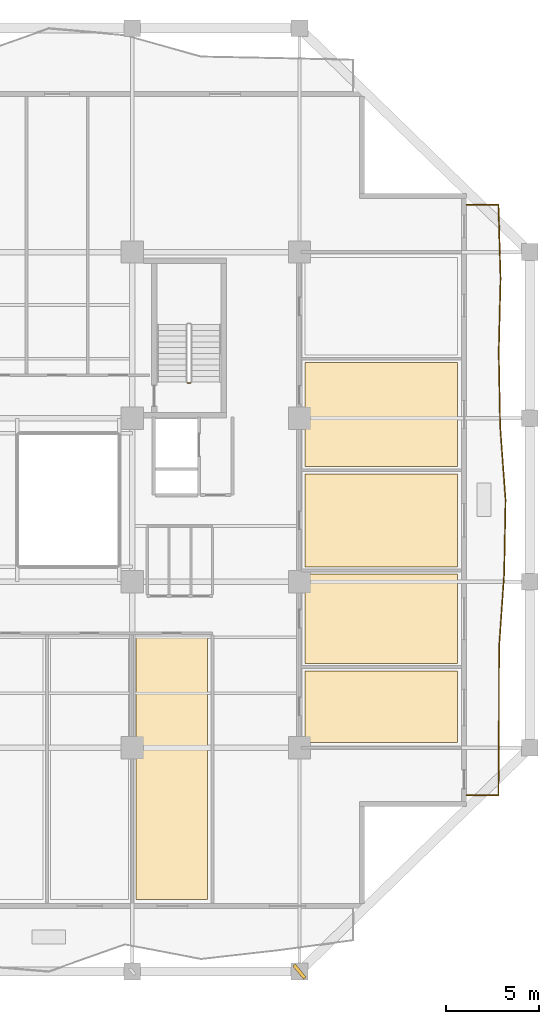
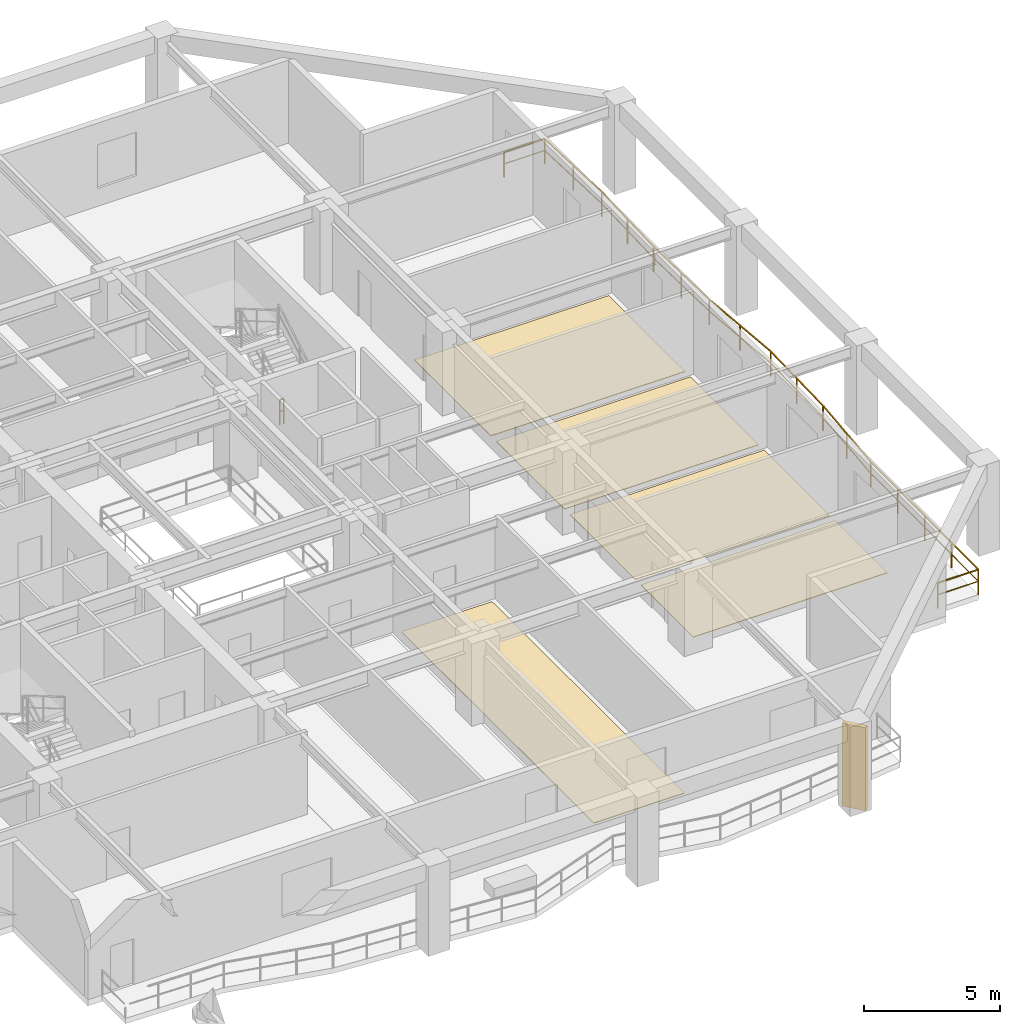
# One storey, part 10 of 13: 5 coverings, 2 railings, 1 shading device.
"""IFC4 building model written with IfcOpenShell, lengths in metres."""

from ifc_helpers import new_model, si_unit, direction, frame, origin, origin_2d, place, context, subcontext, project, spatial, polyline, rectangle, outline, extrude, material, layer, layer_set, type_object, element, save


model = new_model("IFC4")

# Units and contexts
model_context = context("Model", 3, precision=1e-05, world=origin(), true_north=direction((0.0, 1.0)))
body_context = subcontext(model_context, "Body", "Model", "MODEL_VIEW")
ifc_project = project(units=[si_unit("LENGTHUNIT", "METRE"), si_unit("AREAUNIT", "SQUARE_METRE"), si_unit("VOLUMEUNIT", "CUBIC_METRE"), si_unit("PLANEANGLEUNIT", "RADIAN"), si_unit("MASSUNIT", "GRAM", prefix="KILO")], contexts=[model_context])

# Site, building, storey
site_placement = place(None, origin())
site = spatial("IfcSite", under=ifc_project, at=site_placement, CompositionType="ELEMENT")
building_placement = place(site_placement, origin())
building = spatial("IfcBuilding", under=site, at=building_placement, Name="Kundavana Baori Tower", CompositionType="ELEMENT")
storey_placement = place(building_placement, frame((0.0, 0.0, 58.0)))
storey = spatial("IfcBuildingStorey", under=building, at=storey_placement, Name="L13", CompositionType="ELEMENT", Elevation=58.0)

# Coverings
ifc_material_1 = material(Name="Honed Kota Stone and Terrazzo Flooring", Category="masonry")
ifc_layer = layer(ifc_material_1, 0.030029296875, Name="COV-INT-FLR")
ifc_layer_set = layer_set([ifc_layer], Name="Honed Kota Stone and Terrazzo Flooring")
covering_type = type_object("IfcCoveringType", Name="COV-INT-FLR", PredefinedType="FLOORING", material=ifc_layer_set)
covering_1_placement = place(storey_placement, origin())
element("IfcCovering", 1, at=covering_1_placement, inside=storey, type_object=covering_type, Name="L13 Room Finished Stone Flooring 6", PredefinedType="FLOORING", context=body_context, shape_type="SweptSolid", body=[
    extrude(outline(polyline([(34.0, 7.080078125), (37.840087890625, 7.080078125), (37.840087890625, 21.199951171875), (34.0, 21.199951171875), (34.0, 7.080078125)])), origin(), (0.0, 0.0, 1.0), 0.030029296875),
])
covering_2_placement = place(storey_placement, origin())
element("IfcCovering", 2, at=covering_2_placement, inside=storey, type_object=covering_type, Name="L13 Room Finished Stone Flooring 7", PredefinedType="FLOORING", context=body_context, shape_type="SweptSolid", body=[
    extrude(outline(polyline([(43.10009765625, 15.550048828125), (51.320068359375, 15.550048828125), (51.320068359375, 19.39990234375), (43.10009765625, 19.39990234375), (43.10009765625, 15.550048828125)])), origin(), (0.0, 0.0, 1.0), 0.030029296875),
])
covering_3_placement = place(storey_placement, origin())
element("IfcCovering", 3, at=covering_3_placement, inside=storey, type_object=covering_type, Name="L13 Room Finished Stone Flooring 8", PredefinedType="FLOORING", context=body_context, shape_type="SweptSolid", body=[
    extrude(outline(polyline([(43.10009765625, 19.800048828125), (51.320068359375, 19.800048828125), (51.320068359375, 24.60009765625), (43.10009765625, 24.60009765625), (43.10009765625, 19.800048828125)])), origin(), (0.0, 0.0, 1.0), 0.030029296875),
])
covering_4_placement = place(storey_placement, origin())
element("IfcCovering", 4, at=covering_4_placement, inside=storey, type_object=covering_type, Name="L13 Room Finished Stone Flooring 9", PredefinedType="FLOORING", context=body_context, shape_type="SweptSolid", body=[
    extrude(outline(polyline([(43.10009765625, 25.0), (51.320068359375, 25.0), (51.320068359375, 30.0), (43.10009765625, 30.0), (43.10009765625, 25.0)])), origin(), (0.0, 0.0, 1.0), 0.030029296875),
])
covering_5_placement = place(storey_placement, origin())
element("IfcCovering", 5, at=covering_5_placement, inside=storey, type_object=covering_type, Name="L13 Room Finished Stone Flooring 10", PredefinedType="FLOORING", context=body_context, shape_type="SweptSolid", body=[
    extrude(outline(polyline([(43.10009765625, 30.39990234375), (51.320068359375, 30.39990234375), (51.320068359375, 36.0), (43.10009765625, 36.0), (43.10009765625, 30.39990234375)])), origin(), (0.0, 0.0, 1.0), 0.030029296875),
])

# Railings
ifc_material_2 = material(Name="Architectural Patinated Bronze Metalwork")
railing_type_1 = type_object("IfcRailingType", Name="RL-BAL-1150", PredefinedType="BALUSTRADE", material=ifc_material_2)
railing_1_placement = place(storey_placement, frame((51.800048828125, 44.5, 0.0)))
element("IfcRailing", 6, at=railing_1_placement, inside=storey, type_object=railing_type_1, Name="L13 Loggia Balcony Balustrade E", PredefinedType="BALUSTRADE", context=body_context, shape_type="SweptSolid", body=[
    extrude(rectangle(XDim=0.048095703125, YDim=0.048095703125, at=origin_2d()), frame((0.0, 0.0, 1.1259765625), z_axis=(1.0, 0.0, 0.0), x_axis=(0.0, 1.0, 0.0)), (0.0, 0.0, 1.0), 1.719970703125),
    extrude(rectangle(XDim=0.03125, YDim=0.03125, at=origin_2d()), frame((0.0, 0.0, 0.597900390625), z_axis=(1.0, 0.0, 0.0), x_axis=(0.0, 1.0, 0.0)), (0.0, 0.0, 1.0), 1.719970703125),
    extrude(rectangle(XDim=0.048095703125, YDim=0.048095703125, at=origin_2d()), frame((1.719970703125, 0.0, 1.1259765625), z_axis=(0.028915554299, -0.999581857938, 0.0), x_axis=(0.999581857938, 0.028915554299, 0.0)), (0.0, 0.0, 1.0), 3.976806640625),
    extrude(rectangle(XDim=0.03125, YDim=0.03125, at=origin_2d()), frame((1.719970703125, 0.0, 0.597900390625), z_axis=(0.028915554299, -0.999581857938, 0.0), x_axis=(0.999581857938, 0.028915554299, 0.0)), (0.0, 0.0, 1.0), 3.976806640625),
    extrude(rectangle(XDim=0.048095703125, YDim=0.048095703125, at=origin_2d()), frame((1.8349609375, -3.97509765625, 1.1259765625), z_axis=(-0.024377005476, -0.999702836649, 0.0), x_axis=(0.999702836649, -0.024377005476, 0.0)), (0.0, 0.0, 1.0), 3.97607421875),
    extrude(rectangle(XDim=0.03125, YDim=0.03125, at=origin_2d()), frame((1.8349609375, -3.97509765625, 0.597900390625), z_axis=(-0.024377005476, -0.999702836649, 0.0), x_axis=(0.999702836649, -0.024377005476, 0.0)), (0.0, 0.0, 1.0), 3.97607421875),
    extrude(rectangle(XDim=0.048095703125, YDim=0.048095703125, at=origin_2d()), frame((1.738037109375, -7.949951171875, 1.1259765625), z_axis=(0.018851826715, -0.999822288524, 0.0), x_axis=(0.999822288524, 0.018851826715, 0.0)), (0.0, 0.0, 1.0), 3.975830078125),
    extrude(rectangle(XDim=0.03125, YDim=0.03125, at=origin_2d()), frame((1.738037109375, -7.949951171875, 0.597900390625), z_axis=(0.018851826715, -0.999822288524, 0.0), x_axis=(0.999822288524, 0.018851826715, 0.0)), (0.0, 0.0, 1.0), 3.975830078125),
    extrude(rectangle(XDim=0.048095703125, YDim=0.048095703125, at=origin_2d()), frame((1.81298828125, -11.925048828125, 1.1259765625), z_axis=(0.073018735855, -0.997330569177, 0.0), x_axis=(0.997330569177, 0.073018735855, 0.0)), (0.0, 0.0, 1.0), 3.985595703125),
    extrude(rectangle(XDim=0.03125, YDim=0.03125, at=origin_2d()), frame((1.81298828125, -11.925048828125, 0.597900390625), z_axis=(0.073018735855, -0.997330569177, 0.0), x_axis=(0.997330569177, 0.073018735855, 0.0)), (0.0, 0.0, 1.0), 3.985595703125),
    extrude(rectangle(XDim=0.048095703125, YDim=0.048095703125, at=origin_2d()), frame((2.10400390625, -15.89990234375, 1.1259765625), z_axis=(-0.018606285904, -0.999826888079, 0.0), x_axis=(0.999826888079, -0.018606285904, 0.0)), (0.0, 0.0, 1.0), 3.975830078125),
    extrude(rectangle(XDim=0.03125, YDim=0.03125, at=origin_2d()), frame((2.10400390625, -15.89990234375, 0.597900390625), z_axis=(-0.018606285904, -0.999826888079, 0.0), x_axis=(0.999826888079, -0.018606285904, 0.0)), (0.0, 0.0, 1.0), 3.975830078125),
    extrude(rectangle(XDim=0.048095703125, YDim=0.048095703125, at=origin_2d()), frame((2.030029296875, -19.875, 1.1259765625), z_axis=(-0.069296230166, -0.99759612694, 0.0), x_axis=(0.99759612694, -0.069296230166, 0.0)), (0.0, 0.0, 1.0), 3.984619140625),
    extrude(rectangle(XDim=0.03125, YDim=0.03125, at=origin_2d()), frame((2.030029296875, -19.875, 0.597900390625), z_axis=(-0.069296230166, -0.99759612694, 0.0), x_axis=(0.99759612694, -0.069296230166, 0.0)), (0.0, 0.0, 1.0), 3.984619140625),
    extrude(rectangle(XDim=0.048095703125, YDim=0.048095703125, at=origin_2d()), frame((1.75390625, -23.85009765625, 1.1259765625), z_axis=(-0.002026898361, -0.999997945839, 0.0), x_axis=(0.999997945839, -0.002026898361, 0.0)), (0.0, 0.0, 1.0), 3.974853515625),
    extrude(rectangle(XDim=0.03125, YDim=0.03125, at=origin_2d()), frame((1.75390625, -23.85009765625, 0.597900390625), z_axis=(-0.002026898361, -0.999997945839, 0.0), x_axis=(0.999997945839, -0.002026898361, 0.0)), (0.0, 0.0, 1.0), 3.974853515625),
    extrude(rectangle(XDim=0.048095703125, YDim=0.048095703125, at=origin_2d()), frame((1.745849609375, -27.824951171875, 1.1259765625), z_axis=(-0.006510118766, -0.999978808952, 0.0), x_axis=(0.999978808952, -0.006510118766, 0.0)), (0.0, 0.0, 1.0), 3.97509765625),
    extrude(rectangle(XDim=0.03125, YDim=0.03125, at=origin_2d()), frame((1.745849609375, -27.824951171875, 0.597900390625), z_axis=(-0.006510118766, -0.999978808952, 0.0), x_axis=(0.999978808952, -0.006510118766, 0.0)), (0.0, 0.0, 1.0), 3.97509765625),
    extrude(rectangle(XDim=0.048095703125, YDim=0.048095703125, at=origin_2d()), frame((1.719970703125, -31.800048828125, 1.1259765625), z_axis=(-1.0, 0.0, 0.0), x_axis=(0.0, -1.0, 0.0)), (0.0, 0.0, 1.0), 1.719970703125),
    extrude(rectangle(XDim=0.03125, YDim=0.03125, at=origin_2d()), frame((1.719970703125, -31.800048828125, 0.597900390625), z_axis=(-1.0, 0.0, 0.0), x_axis=(0.0, -1.0, 0.0)), (0.0, 0.0, 1.0), 1.719970703125),
    extrude(rectangle(XDim=0.0419921875, YDim=0.0419921875, at=origin_2d()), origin(), (0.0, 0.0, 1.0), 1.101806640625),
    extrude(rectangle(XDim=0.0419921875, YDim=0.0419921875, at=origin_2d()), frame((1.719970703125, 0.0, 0.0)), (0.0, 0.0, 1.0), 1.101806640625),
    extrude(rectangle(XDim=0.0419921875, YDim=0.0419921875, at=origin_2d()), frame((1.77734375, -1.987548828125, 0.0)), (0.0, 0.0, 1.0), 1.101806640625),
    extrude(rectangle(XDim=0.0419921875, YDim=0.0419921875, at=origin_2d()), frame((1.8349609375, -3.97509765625, 0.0)), (0.0, 0.0, 1.0), 1.101806640625),
    extrude(rectangle(XDim=0.0419921875, YDim=0.0419921875, at=origin_2d()), frame((1.78662109375, -5.96240234375, 0.0)), (0.0, 0.0, 1.0), 1.101806640625),
    extrude(rectangle(XDim=0.0419921875, YDim=0.0419921875, at=origin_2d()), frame((1.738037109375, -7.949951171875, 0.0)), (0.0, 0.0, 1.0), 1.101806640625),
    extrude(rectangle(XDim=0.0419921875, YDim=0.0419921875, at=origin_2d()), frame((1.775390625, -9.9375, 0.0)), (0.0, 0.0, 1.0), 1.101806640625),
    extrude(rectangle(XDim=0.0419921875, YDim=0.0419921875, at=origin_2d()), frame((1.81298828125, -11.925048828125, 0.0)), (0.0, 0.0, 1.0), 1.101806640625),
    extrude(rectangle(XDim=0.0419921875, YDim=0.0419921875, at=origin_2d()), frame((1.95849609375, -13.91259765625, 0.0)), (0.0, 0.0, 1.0), 1.101806640625),
    extrude(rectangle(XDim=0.0419921875, YDim=0.0419921875, at=origin_2d()), frame((2.10400390625, -15.89990234375, 0.0)), (0.0, 0.0, 1.0), 1.101806640625),
    extrude(rectangle(XDim=0.0419921875, YDim=0.0419921875, at=origin_2d()), frame((2.06689453125, -17.887451171875, 0.0)), (0.0, 0.0, 1.0), 1.101806640625),
    extrude(rectangle(XDim=0.0419921875, YDim=0.0419921875, at=origin_2d()), frame((2.030029296875, -19.875, 0.0)), (0.0, 0.0, 1.0), 1.101806640625),
    extrude(rectangle(XDim=0.0419921875, YDim=0.0419921875, at=origin_2d()), frame((1.89208984375, -21.862548828125, 0.0)), (0.0, 0.0, 1.0), 1.101806640625),
    extrude(rectangle(XDim=0.0419921875, YDim=0.0419921875, at=origin_2d()), frame((1.75390625, -23.85009765625, 0.0)), (0.0, 0.0, 1.0), 1.101806640625),
    extrude(rectangle(XDim=0.0419921875, YDim=0.0419921875, at=origin_2d()), frame((1.75, -25.83740234375, 0.0)), (0.0, 0.0, 1.0), 1.101806640625),
    extrude(rectangle(XDim=0.0419921875, YDim=0.0419921875, at=origin_2d()), frame((1.745849609375, -27.824951171875, 0.0)), (0.0, 0.0, 1.0), 1.101806640625),
    extrude(rectangle(XDim=0.0419921875, YDim=0.0419921875, at=origin_2d()), frame((1.73291015625, -29.8125, 0.0)), (0.0, 0.0, 1.0), 1.101806640625),
    extrude(rectangle(XDim=0.0419921875, YDim=0.0419921875, at=origin_2d()), frame((1.719970703125, -31.800048828125, 0.0)), (0.0, 0.0, 1.0), 1.101806640625),
    extrude(rectangle(XDim=0.0419921875, YDim=0.0419921875, at=origin_2d()), frame((0.0, -31.800048828125, 0.0)), (0.0, 0.0, 1.0), 1.101806640625),
])
ifc_material_3 = material(Name="Architectural Patinated Bronze Metalwork")
railing_type_2 = type_object("IfcRailingType", Name="RL-GRD-1150", PredefinedType="GUARDRAIL", material=ifc_material_3)
railing_2_placement = place(storey_placement, frame((36.929931640625, 34.89990234375, 0.0)))
element("IfcRailing", 7, at=railing_2_placement, inside=storey, type_object=railing_type_2, Name="L13 ST3 stair guard 4", PredefinedType="GUARDRAIL", context=body_context, shape_type="SweptSolid", body=[
    extrude(rectangle(XDim=0.048095703125, YDim=0.048095703125, at=origin_2d()), frame((0.0, 0.0, 1.1259765625), z_axis=(-1.0, 0.0, 0.0), x_axis=(0.0, -1.0, 0.0)), (0.0, 0.0, 1.0), 0.159912109375),
    extrude(rectangle(XDim=0.03125, YDim=0.03125, at=origin_2d()), frame((0.0, 0.0, 0.597900390625), z_axis=(-1.0, 0.0, 0.0), x_axis=(0.0, -1.0, 0.0)), (0.0, 0.0, 1.0), 0.159912109375),
    extrude(rectangle(XDim=0.0419921875, YDim=0.0419921875, at=origin_2d()), origin(), (0.0, 0.0, 1.0), 1.101806640625),
    extrude(rectangle(XDim=0.0419921875, YDim=0.0419921875, at=origin_2d()), frame((-0.159912109375, 0.0, 0.0)), (0.0, 0.0, 1.0), 1.101806640625),
])

# Shading device
ifc_material_4 = material(Name="Red-Buff Dholpur Sandstone Cladding on Concrete C40/50", Category="masonry")
shading_device_type = type_object("IfcShadingDeviceType", Name="SHD-FIN-920", PredefinedType="JALOUSIE", material=ifc_material_4)
shading_device_placement = place(storey_placement, frame((42.800048828125, 3.199951171875, 0.0), z_axis=(0.0, 0.0, 1.0), x_axis=(0.769733907611, 0.638364873308, 0.0)))
element("IfcShadingDevice", 8, at=shading_device_placement, inside=storey, type_object=shading_device_type, Name="L13 Sweeping Dholpur Sandstone Facade Fin 4", PredefinedType="JALOUSIE", context=body_context, shape_type="SweptSolid", body=[
    extrude(rectangle(XDim=0.179931640625, YDim=0.919921875, at=origin_2d()), origin(), (0.0, 0.0, 1.0), 3.719970703125),
])

save(model, "model.ifc")
